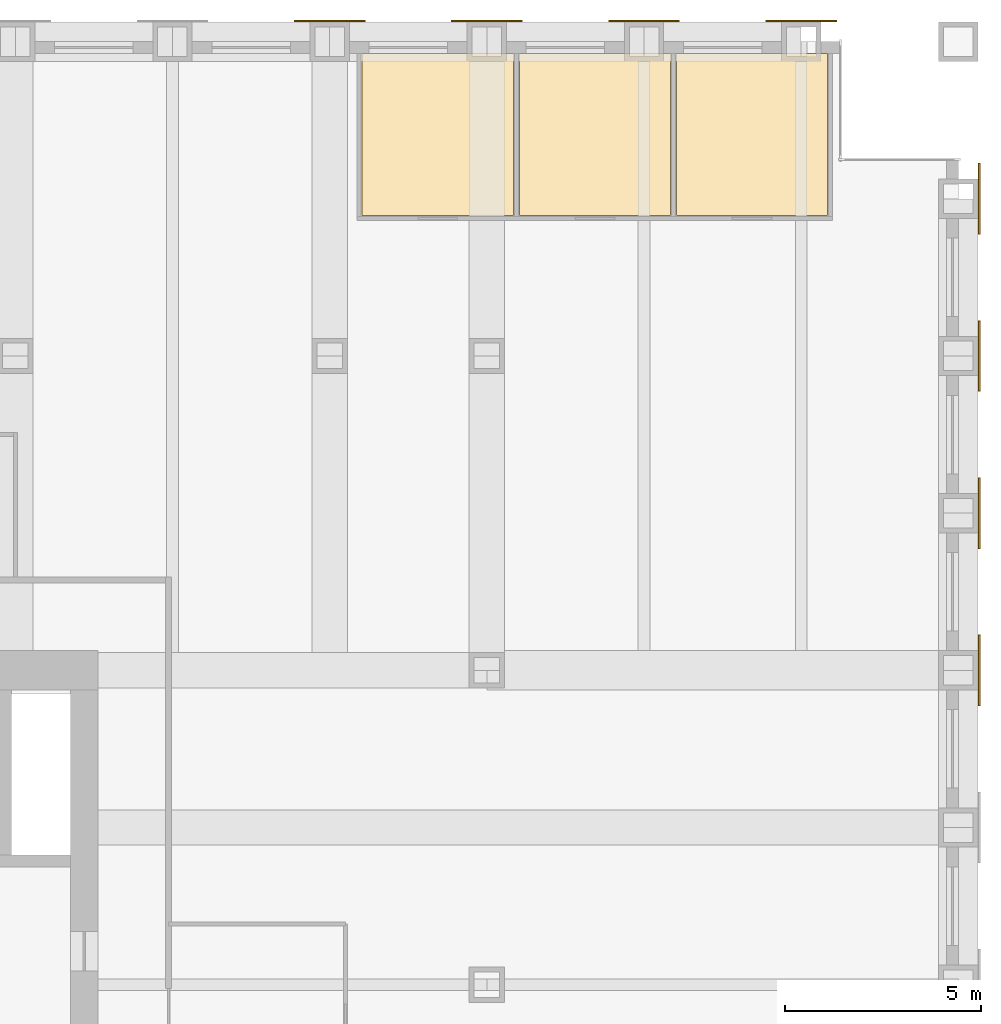
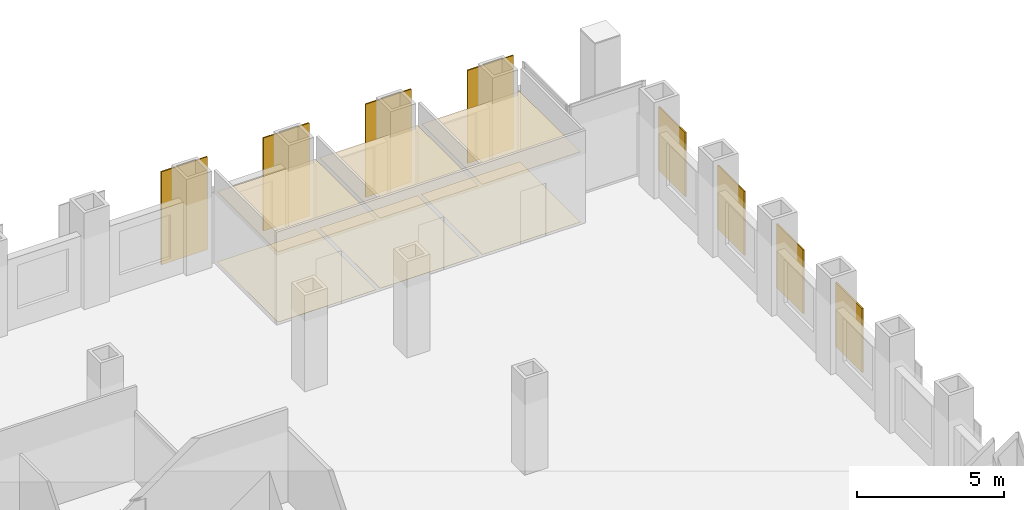
# One storey, part 16 of 16: 8 shading devices, 6 coverings.
"""IFC4 building model written with IfcOpenShell, lengths in metres."""

from ifc_helpers import new_model, si_unit, direction, frame, origin, origin_2d, place, context, subcontext, project, spatial, polyline, rectangle, outline, extrude, material, layer, layer_set, type_object, element, save


model = new_model("IFC4")

# Units and contexts
model_context = context("Model", 3, precision=1e-05, world=origin(), true_north=direction((0.0, 1.0)))
body_context = subcontext(model_context, "Body", "Model", "MODEL_VIEW")
ifc_project = project(units=[si_unit("LENGTHUNIT", "METRE"), si_unit("AREAUNIT", "SQUARE_METRE"), si_unit("VOLUMEUNIT", "CUBIC_METRE"), si_unit("PLANEANGLEUNIT", "RADIAN"), si_unit("MASSUNIT", "GRAM", prefix="KILO")], contexts=[model_context])

# Site, building, storey
site_placement = place(None, origin())
site = spatial("IfcSite", under=ifc_project, at=site_placement, CompositionType="ELEMENT")
building_placement = place(site_placement, origin())
building = spatial("IfcBuilding", under=site, at=building_placement, Name="Rimbunsela Tower", CompositionType="ELEMENT")
storey_placement = place(building_placement, frame((0.0, 0.0, 133.39990234375)))
storey = spatial("IfcBuildingStorey", under=building, at=storey_placement, Name="L32", CompositionType="ELEMENT", Elevation=133.39990234375)

# Coverings
ifc_material_1 = material(Name="Nylon carpet tile", Category="textile")
ifc_layer_1 = layer(ifc_material_1, 0.010009765625)
ifc_layer_set_1 = layer_set([ifc_layer_1], Name="Carpet tile 10")
covering_type_1 = type_object("IfcCoveringType", Name="Carpet tile 10", PredefinedType="FLOORING", material=ifc_layer_set_1)
covering_1_placement = place(storey_placement, origin())
element("IfcCovering", 1, at=covering_1_placement, inside=storey, type_object=covering_type_1, Name="Floor finish Executive office", PredefinedType="FLOORING", context=body_context, shape_type="SweptSolid", body=[
    extrude(outline(polyline([(46.675048828125, 47.574951171875), (46.675048828125, 51.699951171875), (42.824951171875, 51.699951171875), (42.824951171875, 47.574951171875), (46.675048828125, 47.574951171875)])), origin(), (0.0, 0.0, 1.0), 0.010009765625),
])
covering_2_placement = place(storey_placement, origin())
element("IfcCovering", 2, at=covering_2_placement, inside=storey, type_object=covering_type_1, Name="Floor finish Executive office", PredefinedType="FLOORING", context=body_context, shape_type="SweptSolid", body=[
    extrude(outline(polyline([(50.675048828125, 47.574951171875), (50.675048828125, 51.699951171875), (46.824951171875, 51.699951171875), (46.824951171875, 47.574951171875), (50.675048828125, 47.574951171875)])), origin(), (0.0, 0.0, 1.0), 0.010009765625),
])
covering_3_placement = place(storey_placement, origin())
element("IfcCovering", 3, at=covering_3_placement, inside=storey, type_object=covering_type_1, Name="Floor finish Executive office", PredefinedType="FLOORING", context=body_context, shape_type="SweptSolid", body=[
    extrude(outline(polyline([(54.675048828125, 47.574951171875), (54.675048828125, 51.699951171875), (50.824951171875, 51.699951171875), (50.824951171875, 47.574951171875), (54.675048828125, 47.574951171875)])), origin(), (0.0, 0.0, 1.0), 0.010009765625),
])
ifc_material_2 = material(Name="Mineral fibre ceiling tile", Category="gypsum")
ifc_layer_2 = layer(ifc_material_2, 0.02001953125)
ifc_layer_set_2 = layer_set([ifc_layer_2], Name="Ceiling 600 grid")
covering_type_2 = type_object("IfcCoveringType", Name="Ceiling 600 grid", PredefinedType="CEILING", material=ifc_layer_set_2)
covering_4_placement = place(storey_placement, frame((0.0, 0.0, 2.900146484375)))
element("IfcCovering", 4, at=covering_4_placement, inside=storey, type_object=covering_type_2, Name="Ceiling Executive office", PredefinedType="CEILING", context=body_context, shape_type="SweptSolid", body=[
    extrude(outline(polyline([(46.675048828125, 47.574951171875), (46.675048828125, 51.699951171875), (42.824951171875, 51.699951171875), (42.824951171875, 47.574951171875), (46.675048828125, 47.574951171875)])), origin(), (0.0, 0.0, 1.0), 0.02001953125),
])
covering_5_placement = place(storey_placement, frame((0.0, 0.0, 2.900146484375)))
element("IfcCovering", 5, at=covering_5_placement, inside=storey, type_object=covering_type_2, Name="Ceiling Executive office", PredefinedType="CEILING", context=body_context, shape_type="SweptSolid", body=[
    extrude(outline(polyline([(50.675048828125, 47.574951171875), (50.675048828125, 51.699951171875), (46.824951171875, 51.699951171875), (46.824951171875, 47.574951171875), (50.675048828125, 47.574951171875)])), origin(), (0.0, 0.0, 1.0), 0.02001953125),
])
covering_6_placement = place(storey_placement, frame((0.0, 0.0, 2.900146484375)))
element("IfcCovering", 6, at=covering_6_placement, inside=storey, type_object=covering_type_2, Name="Ceiling Executive office", PredefinedType="CEILING", context=body_context, shape_type="SweptSolid", body=[
    extrude(outline(polyline([(54.675048828125, 47.574951171875), (54.675048828125, 51.699951171875), (50.824951171875, 51.699951171875), (50.824951171875, 47.574951171875), (54.675048828125, 47.574951171875)])), origin(), (0.0, 0.0, 1.0), 0.02001953125),
])

# Shading devices
ifc_material_3 = material(Name="Perforated aluminium, 35 % open area", Category="aluminium")
ifc_layer_3 = layer(ifc_material_3, 0.050048828125)
ifc_layer_set_3 = layer_set([ifc_layer_3], Name="Solar screen panel 1800")
shading_device_type = type_object("IfcShadingDeviceType", Name="Solar screen panel 1800", PredefinedType="USERDEFINED", material=ifc_layer_set_3)
for number, where, z_axis, x_axis, name in (
    (7, (58.52490234375, 36.0, 0.000244140625), (0.0, 0.0, 1.0), (0.0, 1.0, 0.0), "Solar screen E L32"),
    (8, (58.52490234375, 40.0, 0.000244140625), (0.0, 0.0, 1.0), (0.0, 1.0, 0.0), "Solar screen E L32"),
    (9, (58.52490234375, 44.0, 0.000244140625), (0.0, 0.0, 1.0), (0.0, 1.0, 0.0), "Solar screen E L32"),
    (10, (58.52490234375, 48.0, 0.000244140625), (0.0, 0.0, 1.0), (0.0, 1.0, 0.0), "Solar screen E L32"),
):
    element("IfcShadingDevice", number, at=place(storey_placement, frame(where, z_axis=z_axis, x_axis=x_axis)), inside=storey, type_object=shading_device_type, Name=name, ObjectType="SCREEN", PredefinedType="USERDEFINED", context=body_context, shape_type="SweptSolid", body=[
        extrude(rectangle(XDim=1.800048828125, YDim=0.050048828125, at=origin_2d()), origin(), (0.0, 0.0, 1.0), 2.64990234375),
    ])
for number, where, z_axis, x_axis, name in (
    (11, (42.0, 52.52490234375, 0.0), (0.0, 0.0, 1.0), (1.0, 0.0, 0.0), "Solar screen N L32"),
    (12, (46.0, 52.52490234375, 0.0), (0.0, 0.0, 1.0), (1.0, 0.0, 0.0), "Solar screen N L32"),
    (13, (50.0, 52.52490234375, 0.0), (0.0, 0.0, 1.0), (1.0, 0.0, 0.0), "Solar screen N L32"),
    (14, (54.0, 52.52490234375, 0.0), (0.0, 0.0, 1.0), (1.0, 0.0, 0.0), "Solar screen N L32"),
):
    element("IfcShadingDevice", number, at=place(storey_placement, frame(where, z_axis=z_axis, x_axis=x_axis)), inside=storey, type_object=shading_device_type, Name=name, ObjectType="SCREEN", PredefinedType="USERDEFINED", context=body_context, shape_type="SweptSolid", body=[
        extrude(rectangle(XDim=1.800048828125, YDim=0.050048828125, at=origin_2d()), origin(), (0.0, 0.0, 1.0), 3.85009765625),
    ])

save(model, "model.ifc")
